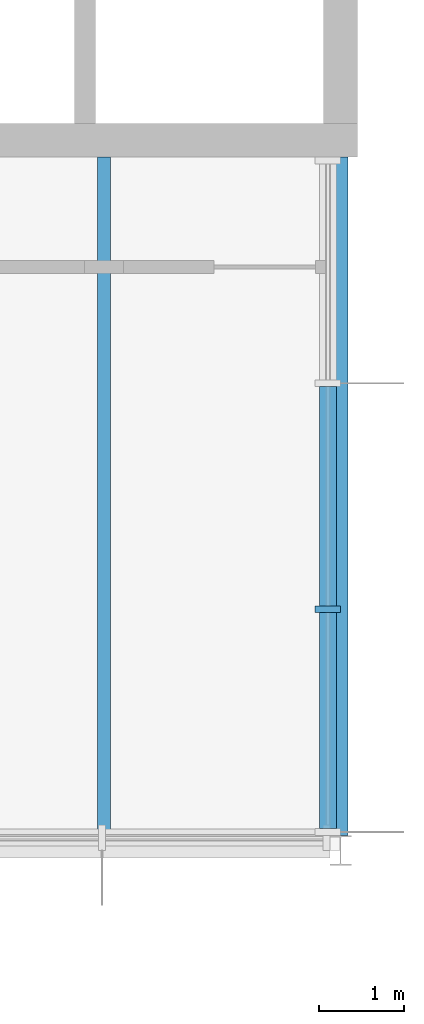
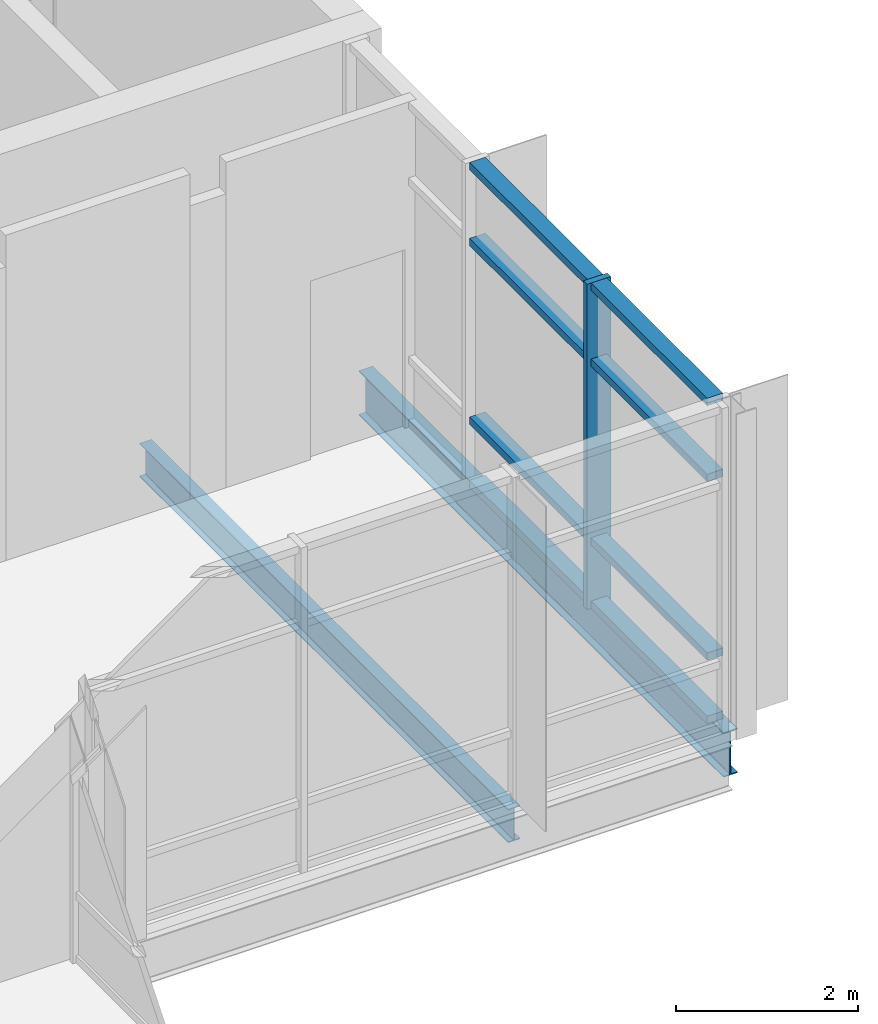
# One storey, part 21 of 76: 9 members, 2 beams, 1 element without a shape of its own.
"""IFC4 building model written with IfcOpenShell, lengths in metres."""

from ifc_helpers import new_model, si_unit, direction, frame, origin, origin_2d, place, context, subcontext, project, spatial, rectangle, i_section, extrude, material, material_profile, profile_set, type_object, element, aggregate, save


model = new_model("IFC4")

# Units and contexts
model_context = context("Model", 3, precision=1e-05, world=origin(), true_north=direction((0.0, 1.0)))
body_context = subcontext(model_context, "Body", "Model", "MODEL_VIEW")
ifc_project = project(units=[si_unit("LENGTHUNIT", "METRE"), si_unit("AREAUNIT", "SQUARE_METRE"), si_unit("VOLUMEUNIT", "CUBIC_METRE"), si_unit("PLANEANGLEUNIT", "RADIAN"), si_unit("MASSUNIT", "GRAM", prefix="KILO")], contexts=[model_context])

# Site, building, storey
site_placement = place(None, origin())
site = spatial("IfcSite", under=ifc_project, at=site_placement, CompositionType="ELEMENT")
building_placement = place(site_placement, origin())
building = spatial("IfcBuilding", under=site, at=building_placement, Name="Hlaing Beacon Police Headquarters", CompositionType="ELEMENT")
storey_placement = place(building_placement, frame((0.0, 0.0, 18.89990234375)))
storey = spatial("IfcBuildingStorey", under=building, at=storey_placement, Name="L04", CompositionType="ELEMENT", Elevation=18.89990234375)

# Beam
ifc_material_1 = material(Name="Steel ASTM A992 Grade 50", Category="steel")
ifc_material_profile_1 = material_profile(ifc_material_1, i_section(OverallWidth=0.177978515625, OverallDepth=0.599365234375, WebThickness=0.010009765625, FlangeThickness=0.012939453125, FilletRadius=0.012939453125, at=origin_2d()), Name="W24x55")
ifc_profile_set_1 = profile_set([ifc_material_profile_1], Name="Steel ASTM A992 Grade 50")
beam_type_1 = type_object("IfcBeamType", Name="Girder W24x55", PredefinedType="BEAM", material=ifc_profile_set_1)
beam_1_placement = place(storey_placement, frame((134.39990234375, 67.376953125, -0.4296875), z_axis=(0.0, 1.0, 0.0), x_axis=(-1.0, 0.0, 0.0)))
element("IfcBeam", 1, at=beam_1_placement, inside=storey, type_object=beam_type_1, Name="STR-BM-L04-GY-S9-S10", PredefinedType="BEAM", context=body_context, shape_type="SweptSolid", body=[
    extrude(i_section(OverallWidth=0.177978515625, OverallDepth=0.599365234375, WebThickness=0.010009765625, FlangeThickness=0.012939453125, FilletRadius=0.012939453125, at=origin_2d()), origin(), (0.0, 0.0, 1.0), 8.02294921875),
])

# Curtain wall, member
ifc_material_2 = material(Name="Aluminium frame with solar control glazing", Category="aluminium")
curtain_wall_type = type_object("IfcCurtainWallType", Name="Structural glazed gable wall 8.02 x 4.37", PredefinedType="NOTDEFINED", material=ifc_material_2)
curtain_wall_placement = place(storey_placement, origin())
curtain_wall = element("IfcCurtainWall", 2, at=curtain_wall_placement, inside=storey, type_object=curtain_wall_type, Name="ENV-CW-L04-E009", PredefinedType="NOTDEFINED")
ifc_material_3 = material(Name="Aluminium", Category="aluminium")
ifc_material_profile_2 = material_profile(ifc_material_3, rectangle(XDim=0.300048828125, YDim=0.080078125, at=origin_2d()), Name="Mullion 80x300")
ifc_profile_set_2 = profile_set([ifc_material_profile_2], Name="Aluminium")
member_type_1 = type_object("IfcMemberType", Name="Mullion 80x300", PredefinedType="MULLION", material=ifc_profile_set_2)
member_1_placement = place(storey_placement, frame((134.25, 70.051025390625, 0.0), z_axis=(0.0, 0.0, 1.0), x_axis=(-1.0, 0.0, 0.0)))
member_1 = element("IfcMember", 3, at=member_1_placement, type_object=member_type_1, Name="CW-L04-E009 mullion 2", PredefinedType="MULLION", context=body_context, shape_type="SweptSolid", body=[
    extrude(rectangle(XDim=0.300048828125, YDim=0.080078125, at=origin_2d()), origin(), (0.0, 0.0, 1.0), 4.3701171875),
])

# Beam
ifc_material_4 = material(Name="Steel ASTM A992 Grade 50", Category="steel")
ifc_material_profile_3 = material_profile(ifc_material_4, i_section(OverallWidth=0.15234375, OverallDepth=0.449462890625, WebThickness=0.007568359375, FlangeThickness=0.0107421875, FilletRadius=0.01025390625, at=origin_2d()), Name="W18x35")
ifc_profile_set_3 = profile_set([ifc_material_profile_3], Name="Steel ASTM A992 Grade 50")
beam_type_2 = type_object("IfcBeamType", Name="Secondary beam W18x35", PredefinedType="BEAM", material=ifc_profile_set_3)
beam_2_placement = place(storey_placement, frame((131.60009765625, 67.2890625, -0.354736328125), z_axis=(0.0, 1.0, 0.0), x_axis=(-1.0, 0.0, 0.0)))
element("IfcBeam", 4, at=beam_2_placement, inside=storey, type_object=beam_type_2, Name="STR-BM-L04-SB-R9-y2", PredefinedType="BEAM", context=body_context, shape_type="SweptSolid", body=[
    extrude(i_section(OverallWidth=0.15234375, OverallDepth=0.449462890625, WebThickness=0.007568359375, FlangeThickness=0.0107421875, FilletRadius=0.01025390625, at=origin_2d()), origin(), (0.0, 0.0, 1.0), 8.11083984375),
])

# Member
ifc_material_5 = material(Name="Aluminium", Category="aluminium")
ifc_material_profile_4 = material_profile(ifc_material_5, rectangle(XDim=0.199951171875, YDim=0.10009765625, at=origin_2d()), Name="Transom 200x100")
ifc_profile_set_4 = profile_set([ifc_material_profile_4], Name="Aluminium")
member_type_2 = type_object("IfcMemberType", Name="Transom 200x100", PredefinedType="USERDEFINED", material=ifc_profile_set_4)
member_2_placement = place(storey_placement, frame((134.25, 67.45654296875, 0.050048828125), z_axis=(0.0, 1.0, 0.0), x_axis=(-1.0, 0.0, 0.0)))
member_2 = element("IfcMember", 5, at=member_2_placement, type_object=member_type_2, Name="CW-L04-E009 transom 1.1", ObjectType="TRANSOM", PredefinedType="USERDEFINED", context=body_context, shape_type="SweptSolid", body=[
    extrude(rectangle(XDim=0.199951171875, YDim=0.10009765625, at=origin_2d()), origin(), (0.0, 0.0, 1.0), 2.554443359375),
])

member_3_placement = place(storey_placement, frame((134.25, 67.45654296875, 0.900146484375), z_axis=(0.0, 1.0, 0.0), x_axis=(-1.0, 0.0, 0.0)))
member_3 = element("IfcMember", 6, at=member_3_placement, type_object=member_type_2, Name="CW-L04-E009 transom 1.2", ObjectType="TRANSOM", PredefinedType="USERDEFINED", context=body_context, shape_type="SweptSolid", body=[
    extrude(rectangle(XDim=0.199951171875, YDim=0.10009765625, at=origin_2d()), origin(), (0.0, 0.0, 1.0), 2.554443359375),
])

member_4_placement = place(storey_placement, frame((134.25, 67.45654296875, 3.300048828125), z_axis=(0.0, 1.0, 0.0), x_axis=(-1.0, 0.0, 0.0)))
member_4 = element("IfcMember", 7, at=member_4_placement, type_object=member_type_2, Name="CW-L04-E009 transom 1.3", ObjectType="TRANSOM", PredefinedType="USERDEFINED", context=body_context, shape_type="SweptSolid", body=[
    extrude(rectangle(XDim=0.199951171875, YDim=0.10009765625, at=origin_2d()), origin(), (0.0, 0.0, 1.0), 2.554443359375),
])

member_5_placement = place(storey_placement, frame((134.25, 67.45654296875, 4.320068359375), z_axis=(0.0, 1.0, 0.0), x_axis=(-1.0, 0.0, 0.0)))
member_5 = element("IfcMember", 8, at=member_5_placement, type_object=member_type_2, Name="CW-L04-E009 transom 1.4", ObjectType="TRANSOM", PredefinedType="USERDEFINED", context=body_context, shape_type="SweptSolid", body=[
    extrude(rectangle(XDim=0.199951171875, YDim=0.10009765625, at=origin_2d()), origin(), (0.0, 0.0, 1.0), 2.554443359375),
])

member_6_placement = place(storey_placement, frame((134.25, 70.091064453125, 0.050048828125), z_axis=(0.0, 1.0, 0.0), x_axis=(-1.0, 0.0, 0.0)))
member_6 = element("IfcMember", 9, at=member_6_placement, type_object=member_type_2, Name="CW-L04-E009 transom 2.1", ObjectType="TRANSOM", PredefinedType="USERDEFINED", context=body_context, shape_type="SweptSolid", body=[
    extrude(rectangle(XDim=0.199951171875, YDim=0.10009765625, at=origin_2d()), origin(), (0.0, 0.0, 1.0), 2.594482421875),
])

member_7_placement = place(storey_placement, frame((134.25, 70.091064453125, 0.900146484375), z_axis=(0.0, 1.0, 0.0), x_axis=(-1.0, 0.0, 0.0)))
member_7 = element("IfcMember", 10, at=member_7_placement, type_object=member_type_2, Name="CW-L04-E009 transom 2.2", ObjectType="TRANSOM", PredefinedType="USERDEFINED", context=body_context, shape_type="SweptSolid", body=[
    extrude(rectangle(XDim=0.199951171875, YDim=0.10009765625, at=origin_2d()), origin(), (0.0, 0.0, 1.0), 2.594482421875),
])

member_8_placement = place(storey_placement, frame((134.25, 70.091064453125, 3.300048828125), z_axis=(0.0, 1.0, 0.0), x_axis=(-1.0, 0.0, 0.0)))
member_8 = element("IfcMember", 11, at=member_8_placement, type_object=member_type_2, Name="CW-L04-E009 transom 2.3", ObjectType="TRANSOM", PredefinedType="USERDEFINED", context=body_context, shape_type="SweptSolid", body=[
    extrude(rectangle(XDim=0.199951171875, YDim=0.10009765625, at=origin_2d()), origin(), (0.0, 0.0, 1.0), 2.594482421875),
])

member_9_placement = place(storey_placement, frame((134.25, 70.091064453125, 4.320068359375), z_axis=(0.0, 1.0, 0.0), x_axis=(-1.0, 0.0, 0.0)))
member_9 = element("IfcMember", 12, at=member_9_placement, type_object=member_type_2, Name="CW-L04-E009 transom 2.4", ObjectType="TRANSOM", PredefinedType="USERDEFINED", context=body_context, shape_type="SweptSolid", body=[
    extrude(rectangle(XDim=0.199951171875, YDim=0.10009765625, at=origin_2d()), origin(), (0.0, 0.0, 1.0), 2.594482421875),
])

aggregate(curtain_wall, [member_1, member_2, member_3, member_4, member_5, member_6, member_7, member_8, member_9])

save(model, "model.ifc")
